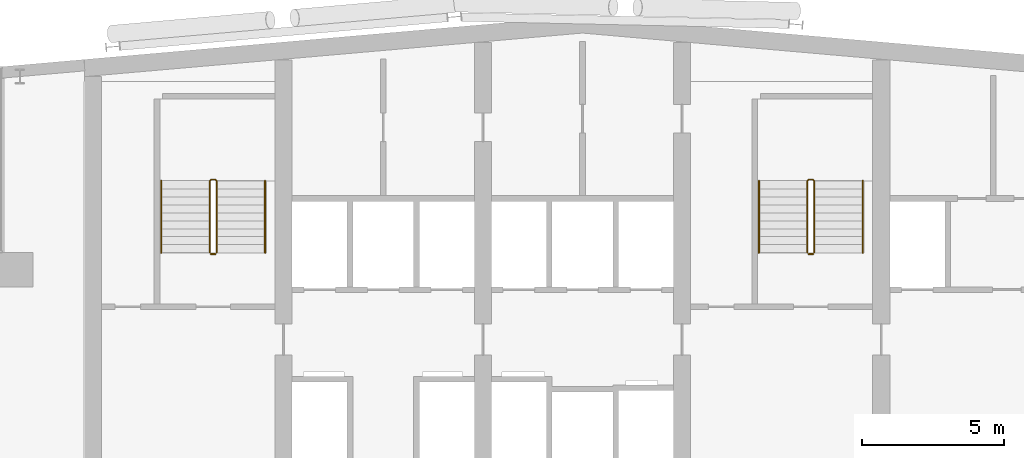
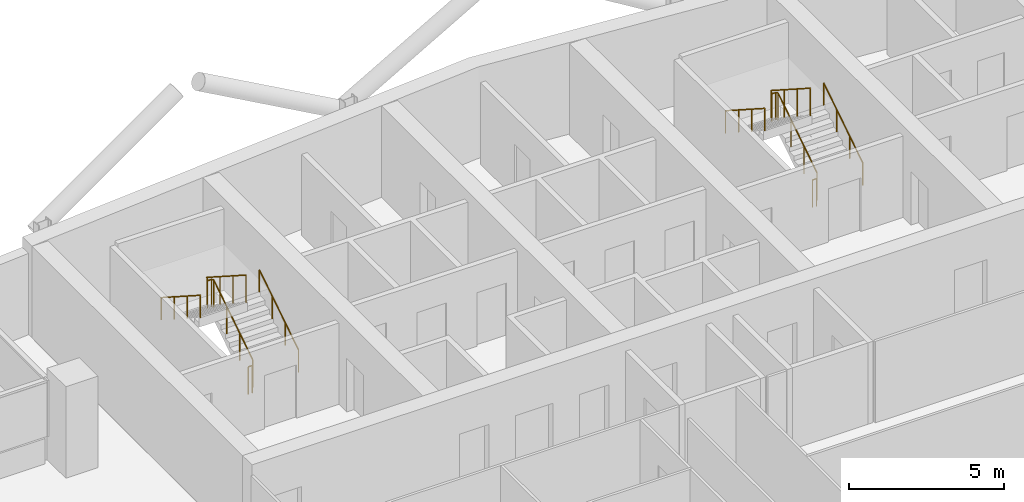
# One storey, part 25 of 25: 8 railings.
"""IFC4 building model written with IfcOpenShell, lengths in metres."""

from ifc_helpers import new_model, si_unit, direction, frame, origin, origin_2d, place, context, subcontext, project, spatial, circle, extrude, material, type_object, element, save


model = new_model("IFC4")

# Units and contexts
model_context = context("Model", 3, precision=1e-05, world=origin(), true_north=direction((0.0, 1.0)))
body_context = subcontext(model_context, "Body", "Model", "MODEL_VIEW")
ifc_project = project(units=[si_unit("LENGTHUNIT", "METRE"), si_unit("AREAUNIT", "SQUARE_METRE"), si_unit("VOLUMEUNIT", "CUBIC_METRE"), si_unit("PLANEANGLEUNIT", "RADIAN"), si_unit("MASSUNIT", "GRAM", prefix="KILO")], contexts=[model_context])

# Site, building, storey
site_placement = place(None, origin())
site = spatial("IfcSite", under=ifc_project, at=site_placement, CompositionType="ELEMENT")
building_placement = place(site_placement, origin())
building = spatial("IfcBuilding", under=site, at=building_placement, Name="Wharfspan Tower", CompositionType="ELEMENT")
storey_placement = place(building_placement, frame((0.0, 0.0, 225.100098)))
storey = spatial("IfcBuildingStorey", under=building, at=storey_placement, Name="L56", CompositionType="ELEMENT", Elevation=225.100098)

# Railings
ifc_material = material(Name="Steel S355J2", Category="steel")
railing_type_1 = type_object("IfcRailingType", Name="Stair guard 1100", PredefinedType="GUARDRAIL", material=ifc_material)
railing_1_placement = place(storey_placement, frame((27.649902, 42.0, 0.179932)))
element("IfcRailing", 1, at=railing_1_placement, inside=storey, type_object=railing_type_1, Name="L56 ST1 stair guard 1", PredefinedType="GUARDRAIL", context=body_context, shape_type="SweptSolid", body=[
    extrude(circle(Radius=0.023926, at=origin_2d()), frame((0.0, 0.0, 1.076172), z_axis=(0.0, 0.8412, 0.540725), x_axis=(-1.0, 0.0, 0.0)), (0.0, 0.0, 1.0), 2.99585),
    extrude(circle(Radius=0.023926, at=origin_2d()), frame((0.0, 2.52002, 2.695801), z_axis=(-0.705376, 0.708834, 0.0), x_axis=(-0.708834, -0.705376, 0.0)), (0.0, 0.0, 1.0), 0.070557),
    extrude(circle(Radius=0.023926, at=origin_2d()), frame((-0.049805, 2.570068, 2.695801), z_axis=(-1.0, 0.0, 0.0), x_axis=(0.0, -1.0, 0.0)), (0.0, 0.0, 1.0), 0.150146),
    extrude(circle(Radius=0.023926, at=origin_2d()), frame((-0.199951, 2.570068, 2.695801), z_axis=(-0.258544, -0.258544, 0.930758), x_axis=(0.707107, -0.707107, 0.0)), (0.0, 0.0, 1.0), 0.193604),
    extrude(circle(Radius=0.023926, at=origin_2d()), frame((-0.25, 2.52002, 2.875977), z_axis=(0.0, -0.8412, 0.540725), x_axis=(1.0, 0.0, 0.0)), (0.0, 0.0, 1.0), 2.99585),
    extrude(circle(Radius=0.020996, at=origin_2d()), origin(), (0.0, 0.0, 1.0), 1.052002),
    extrude(circle(Radius=0.020996, at=origin_2d()), frame((0.0, 0.840088, 0.540039)), (0.0, 0.0, 1.0), 1.052002),
    extrude(circle(Radius=0.020996, at=origin_2d()), frame((0.0, 1.679932, 1.079834)), (0.0, 0.0, 1.0), 1.052002),
    extrude(circle(Radius=0.020996, at=origin_2d()), frame((0.0, 2.52002, 1.619873)), (0.0, 0.0, 1.0), 1.052002),
    extrude(circle(Radius=0.020996, at=origin_2d()), frame((-0.049805, 2.570068, 1.619873)), (0.0, 0.0, 1.0), 1.052002),
    extrude(circle(Radius=0.020996, at=origin_2d()), frame((-0.199951, 2.570068, 1.619873)), (0.0, 0.0, 1.0), 1.052002),
    extrude(circle(Radius=0.020996, at=origin_2d()), frame((-0.25, 2.52002, 1.800049)), (0.0, 0.0, 1.0), 1.052002),
    extrude(circle(Radius=0.020996, at=origin_2d()), frame((-0.25, 1.679932, 2.340088)), (0.0, 0.0, 1.0), 1.052002),
    extrude(circle(Radius=0.020996, at=origin_2d()), frame((-0.25, 0.840088, 2.879883)), (0.0, 0.0, 1.0), 1.052002),
    extrude(circle(Radius=0.020996, at=origin_2d()), frame((-0.25, 0.0, 3.419922)), (0.0, 0.0, 1.0), 1.052002),
])
railing_2_placement = place(storey_placement, frame((27.600098, 41.949951, 0.0)))
element("IfcRailing", 2, at=railing_2_placement, inside=storey, type_object=railing_type_1, Name="L56 ST1 stair guard 2", PredefinedType="GUARDRAIL", context=body_context, shape_type="SweptSolid", body=[
    extrude(circle(Radius=0.023926, at=origin_2d()), frame((0.0, 0.0, 1.076172), z_axis=(-1.0, 0.0, 0.0), x_axis=(0.0, -1.0, 0.0)), (0.0, 0.0, 1.0), 0.150146),
    extrude(circle(Radius=0.020996, at=origin_2d()), origin(), (0.0, 0.0, 1.0), 1.052002),
    extrude(circle(Radius=0.020996, at=origin_2d()), frame((-0.150146, 0.0, 0.0)), (0.0, 0.0, 1.0), 1.052002),
])
railing_3_placement = place(storey_placement, frame((48.649902, 42.0, 0.179932)))
element("IfcRailing", 3, at=railing_3_placement, inside=storey, type_object=railing_type_1, Name="L56 ST2 stair guard 1", PredefinedType="GUARDRAIL", context=body_context, shape_type="SweptSolid", body=[
    extrude(circle(Radius=0.023926, at=origin_2d()), frame((0.0, 0.0, 1.076172), z_axis=(0.0, 0.8412, 0.540725), x_axis=(-1.0, 0.0, 0.0)), (0.0, 0.0, 1.0), 2.99585),
    extrude(circle(Radius=0.023926, at=origin_2d()), frame((0.0, 2.52002, 2.695801), z_axis=(-0.705376, 0.708834, 0.0), x_axis=(-0.708834, -0.705376, 0.0)), (0.0, 0.0, 1.0), 0.070557),
    extrude(circle(Radius=0.023926, at=origin_2d()), frame((-0.049805, 2.570068, 2.695801), z_axis=(-1.0, 0.0, 0.0), x_axis=(0.0, -1.0, 0.0)), (0.0, 0.0, 1.0), 0.150146),
    extrude(circle(Radius=0.023926, at=origin_2d()), frame((-0.199951, 2.570068, 2.695801), z_axis=(-0.258544, -0.258544, 0.930758), x_axis=(0.707107, -0.707107, 0.0)), (0.0, 0.0, 1.0), 0.193604),
    extrude(circle(Radius=0.023926, at=origin_2d()), frame((-0.25, 2.52002, 2.875977), z_axis=(0.0, -0.8412, 0.540725), x_axis=(1.0, 0.0, 0.0)), (0.0, 0.0, 1.0), 2.99585),
    extrude(circle(Radius=0.020996, at=origin_2d()), origin(), (0.0, 0.0, 1.0), 1.052002),
    extrude(circle(Radius=0.020996, at=origin_2d()), frame((0.0, 0.840088, 0.540039)), (0.0, 0.0, 1.0), 1.052002),
    extrude(circle(Radius=0.020996, at=origin_2d()), frame((0.0, 1.679932, 1.079834)), (0.0, 0.0, 1.0), 1.052002),
    extrude(circle(Radius=0.020996, at=origin_2d()), frame((0.0, 2.52002, 1.619873)), (0.0, 0.0, 1.0), 1.052002),
    extrude(circle(Radius=0.020996, at=origin_2d()), frame((-0.049805, 2.570068, 1.619873)), (0.0, 0.0, 1.0), 1.052002),
    extrude(circle(Radius=0.020996, at=origin_2d()), frame((-0.199951, 2.570068, 1.619873)), (0.0, 0.0, 1.0), 1.052002),
    extrude(circle(Radius=0.020996, at=origin_2d()), frame((-0.25, 2.52002, 1.800049)), (0.0, 0.0, 1.0), 1.052002),
    extrude(circle(Radius=0.020996, at=origin_2d()), frame((-0.25, 1.679932, 2.340088)), (0.0, 0.0, 1.0), 1.052002),
    extrude(circle(Radius=0.020996, at=origin_2d()), frame((-0.25, 0.840088, 2.879883)), (0.0, 0.0, 1.0), 1.052002),
    extrude(circle(Radius=0.020996, at=origin_2d()), frame((-0.25, 0.0, 3.419922)), (0.0, 0.0, 1.0), 1.052002),
])
railing_4_placement = place(storey_placement, frame((48.600098, 41.949951, 0.0)))
element("IfcRailing", 4, at=railing_4_placement, inside=storey, type_object=railing_type_1, Name="L56 ST2 stair guard 2", PredefinedType="GUARDRAIL", context=body_context, shape_type="SweptSolid", body=[
    extrude(circle(Radius=0.023926, at=origin_2d()), frame((0.0, 0.0, 1.076172), z_axis=(-1.0, 0.0, 0.0), x_axis=(0.0, -1.0, 0.0)), (0.0, 0.0, 1.0), 0.150146),
    extrude(circle(Radius=0.020996, at=origin_2d()), origin(), (0.0, 0.0, 1.0), 1.052002),
    extrude(circle(Radius=0.020996, at=origin_2d()), frame((-0.150146, 0.0, 0.0)), (0.0, 0.0, 1.0), 1.052002),
])
railing_type_2 = type_object("IfcRailingType", Name="Stair handrail 900", PredefinedType="HANDRAIL", material=ifc_material)
railing_5_placement = place(storey_placement, frame((29.350098, 42.0, 0.179932)))
element("IfcRailing", 5, at=railing_5_placement, inside=storey, type_object=railing_type_2, Name="L56 ST1 stair handrail 1", PredefinedType="HANDRAIL", context=body_context, shape_type="SweptSolid", body=[
    extrude(circle(Radius=0.023926, at=origin_2d()), frame((0.0, 0.0, 0.875977), z_axis=(0.0, 0.8412, 0.540725), x_axis=(-1.0, 0.0, 0.0)), (0.0, 0.0, 1.0), 2.99585),
    extrude(circle(Radius=0.020996, at=origin_2d()), origin(), (0.0, 0.0, 1.0), 0.851807),
    extrude(circle(Radius=0.020996, at=origin_2d()), frame((0.0, 0.840088, 0.540039)), (0.0, 0.0, 1.0), 0.851807),
    extrude(circle(Radius=0.020996, at=origin_2d()), frame((0.0, 1.679932, 1.079834)), (0.0, 0.0, 1.0), 0.851807),
    extrude(circle(Radius=0.020996, at=origin_2d()), frame((0.0, 2.52002, 1.619873)), (0.0, 0.0, 1.0), 0.851807),
])
railing_6_placement = place(storey_placement, frame((25.699951, 44.52002, 1.97998)))
element("IfcRailing", 6, at=railing_6_placement, inside=storey, type_object=railing_type_2, Name="L56 ST1 stair handrail 2", PredefinedType="HANDRAIL", context=body_context, shape_type="SweptSolid", body=[
    extrude(circle(Radius=0.023926, at=origin_2d()), frame((0.0, 0.0, 0.875977), z_axis=(0.0, -0.8412, 0.540725), x_axis=(1.0, 0.0, 0.0)), (0.0, 0.0, 1.0), 2.99585),
    extrude(circle(Radius=0.020996, at=origin_2d()), origin(), (0.0, 0.0, 1.0), 0.851807),
    extrude(circle(Radius=0.020996, at=origin_2d()), frame((0.0, -0.840088, 0.540039)), (0.0, 0.0, 1.0), 0.851807),
    extrude(circle(Radius=0.020996, at=origin_2d()), frame((0.0, -1.679932, 1.079834)), (0.0, 0.0, 1.0), 0.851807),
    extrude(circle(Radius=0.020996, at=origin_2d()), frame((0.0, -2.52002, 1.619873)), (0.0, 0.0, 1.0), 0.851807),
])
railing_7_placement = place(storey_placement, frame((50.350098, 42.0, 0.179932)))
element("IfcRailing", 7, at=railing_7_placement, inside=storey, type_object=railing_type_2, Name="L56 ST2 stair handrail 1", PredefinedType="HANDRAIL", context=body_context, shape_type="SweptSolid", body=[
    extrude(circle(Radius=0.023926, at=origin_2d()), frame((0.0, 0.0, 0.875977), z_axis=(0.0, 0.8412, 0.540725), x_axis=(-1.0, 0.0, 0.0)), (0.0, 0.0, 1.0), 2.99585),
    extrude(circle(Radius=0.020996, at=origin_2d()), origin(), (0.0, 0.0, 1.0), 0.851807),
    extrude(circle(Radius=0.020996, at=origin_2d()), frame((0.0, 0.840088, 0.540039)), (0.0, 0.0, 1.0), 0.851807),
    extrude(circle(Radius=0.020996, at=origin_2d()), frame((0.0, 1.679932, 1.079834)), (0.0, 0.0, 1.0), 0.851807),
    extrude(circle(Radius=0.020996, at=origin_2d()), frame((0.0, 2.52002, 1.619873)), (0.0, 0.0, 1.0), 0.851807),
])
railing_8_placement = place(storey_placement, frame((46.699951, 44.52002, 1.97998)))
element("IfcRailing", 8, at=railing_8_placement, inside=storey, type_object=railing_type_2, Name="L56 ST2 stair handrail 2", PredefinedType="HANDRAIL", context=body_context, shape_type="SweptSolid", body=[
    extrude(circle(Radius=0.023926, at=origin_2d()), frame((0.0, 0.0, 0.875977), z_axis=(0.0, -0.8412, 0.540725), x_axis=(1.0, 0.0, 0.0)), (0.0, 0.0, 1.0), 2.99585),
    extrude(circle(Radius=0.020996, at=origin_2d()), origin(), (0.0, 0.0, 1.0), 0.851807),
    extrude(circle(Radius=0.020996, at=origin_2d()), frame((0.0, -0.840088, 0.540039)), (0.0, 0.0, 1.0), 0.851807),
    extrude(circle(Radius=0.020996, at=origin_2d()), frame((0.0, -1.679932, 1.079834)), (0.0, 0.0, 1.0), 0.851807),
    extrude(circle(Radius=0.020996, at=origin_2d()), frame((0.0, -2.52002, 1.619873)), (0.0, 0.0, 1.0), 0.851807),
])

save(model, "model.ifc")
